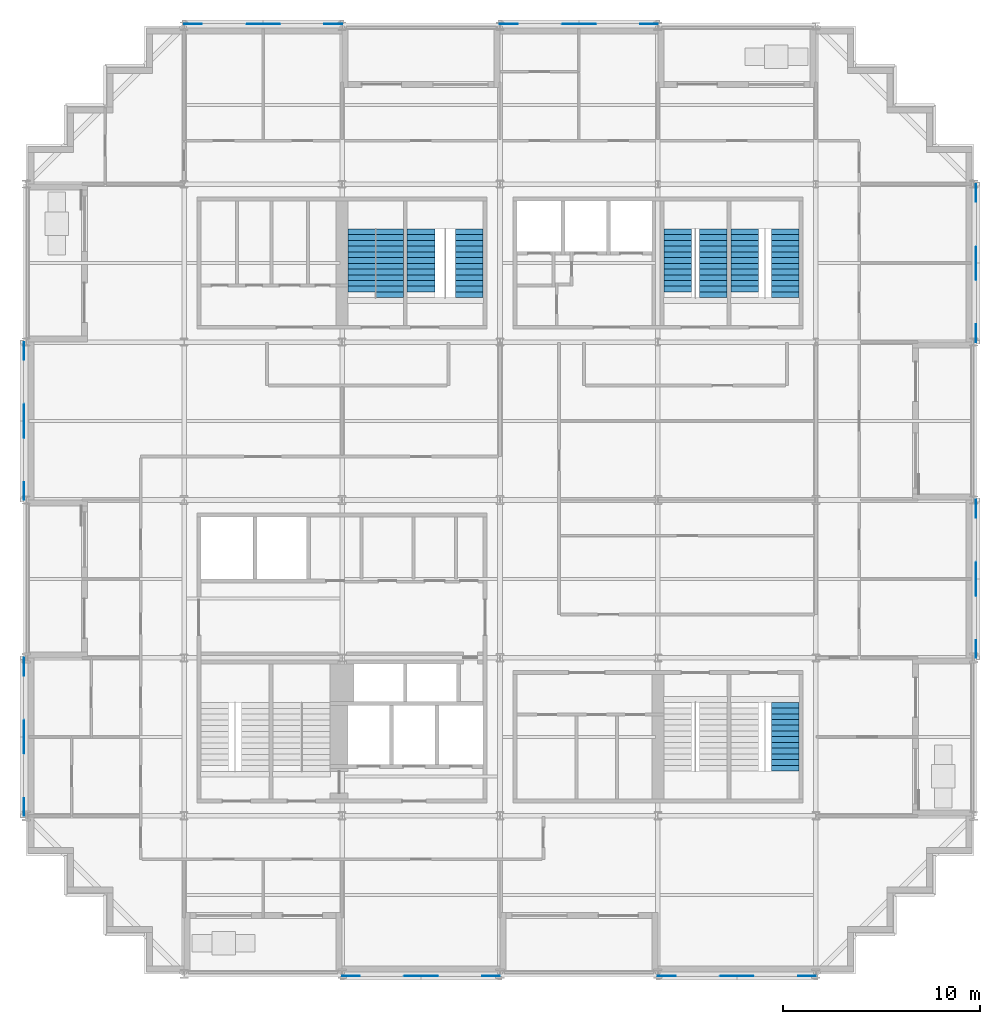
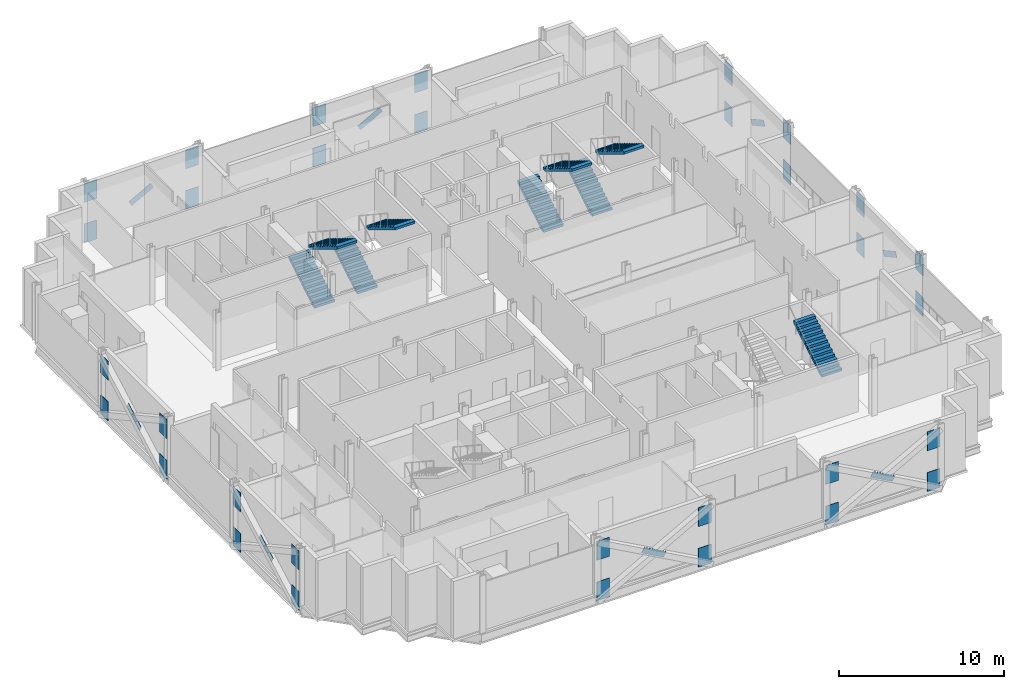
# One storey, part 12 of 15: 40 discrete accessories, 9 stair flights, 5 elements without a shape of their own.
"""IFC4 building model written with IfcOpenShell, lengths in metres."""

from ifc_helpers import new_model, si_unit, direction, frame, origin, origin_2d, place, context, subcontext, project, spatial, polyline, rectangle, outline, extrude, material, material_profile, profile_set, type_object, element, aggregate, save


model = new_model("IFC4")

# Units and contexts
model_context = context("Model", 3, precision=1e-05, world=origin(), true_north=direction((0.0, 1.0)))
body_context = subcontext(model_context, "Body", "Model", "MODEL_VIEW")
ifc_project = project(units=[si_unit("LENGTHUNIT", "METRE"), si_unit("AREAUNIT", "SQUARE_METRE"), si_unit("VOLUMEUNIT", "CUBIC_METRE"), si_unit("PLANEANGLEUNIT", "RADIAN"), si_unit("MASSUNIT", "GRAM", prefix="KILO")], contexts=[model_context])

# Site, building, storey
site_placement = place(None, origin())
site = spatial("IfcSite", under=ifc_project, at=site_placement, CompositionType="ELEMENT")
building_placement = place(site_placement, origin())
building = spatial("IfcBuilding", under=site, at=building_placement, Name="Immortelle Media Tower", CompositionType="ELEMENT")
storey_placement = place(building_placement, frame((0.0, 0.0, 100.800048828125)))
storey = spatial("IfcBuildingStorey", under=building, at=storey_placement, Name="L19", CompositionType="ELEMENT", Elevation=100.800048828125)

# Stair, stair flight
ifc_material_1 = material(Name="Steel ASTM A992 Gr 50", Category="steel")
stair_type = type_object("IfcStairType", Name="Stair with flights", PredefinedType="DOUBLE_RETURN_STAIR", material=ifc_material_1)
stair_1_placement = place(storey_placement, origin())
stair_1 = element("IfcStair", 1, at=stair_1_placement, inside=storey, type_object=stair_type, Name="Exit stair SE2", PredefinedType="DOUBLE_RETURN_STAIR")
stair_flight_type = type_object("IfcStairFlightType", Name="Stair flight 1400", PredefinedType="STRAIGHT", material=ifc_material_1)
stair_flight_1_placement = place(storey_placement, frame((38.449951171875, 10.27001953125, 2.112060546875), z_axis=(0.0, 0.0, 1.0), x_axis=(0.0, 1.0, 0.0)))
stair_flight_1 = element("IfcStairFlight", 2, at=stair_flight_1_placement, type_object=stair_flight_type, Name="ST SE2 flight 2", NumberOfRisers=13, NumberOfTreads=12, PredefinedType="STRAIGHT", RiserHeight=0.176, TreadLength=0.29, context=body_context, shape_type="SweptSolid", body=[
    extrude(outline(polyline([(0.0, 0.0), (0.0, 0.176025390625), (0.2900390625, 0.176025390625), (0.2900390625, 0.35205078125), (0.580078125, 0.35205078125), (0.580078125, 0.528076171875), (0.8701171875, 0.528076171875), (0.8701171875, 0.7041015625), (1.159912109375, 0.7041015625), (1.159912109375, 0.8798828125), (1.449951171875, 0.8798828125), (1.449951171875, 1.055908203125), (1.739990234375, 1.055908203125), (1.739990234375, 1.23193359375), (2.030029296875, 1.23193359375), (2.030029296875, 1.407958984375), (2.320068359375, 1.407958984375), (2.320068359375, 1.583984375), (2.610107421875, 1.583984375), (2.610107421875, 1.760009765625), (2.89990234375, 1.760009765625), (2.89990234375, 1.93603515625), (3.18994140625, 1.93603515625), (3.18994140625, 2.112060546875), (3.47998046875, 2.112060546875), (3.47998046875, 2.2880859375), (3.47998046875, 1.936767578125), (0.288818359375, 0.0), (0.0, 0.0)])), frame((0.0, 0.699951171875, 0.0), z_axis=(0.0, -1.0, 0.0), x_axis=(1.0, 0.0, 0.0)), (0.0, 0.0, 1.0), 1.39990234375),
])
aggregate(stair_1, [stair_flight_1])

# Stair, stair flights
stair_2_placement = place(storey_placement, origin())
stair_2 = element("IfcStair", 3, at=stair_2_placement, inside=storey, type_object=stair_type, Name="Exit stair NW1", PredefinedType="DOUBLE_RETURN_STAIR")
stair_flight_2_placement = place(storey_placement, frame((17.0, 34.5400390625, 0.0), z_axis=(0.0, 0.0, 1.0), x_axis=(0.0, 1.0, 0.0)))
stair_flight_2 = element("IfcStairFlight", 4, at=stair_flight_2_placement, type_object=stair_flight_type, Name="ST NW1 flight 1", NumberOfRisers=12, NumberOfTreads=11, PredefinedType="STRAIGHT", RiserHeight=0.176, TreadLength=0.29, context=body_context, shape_type="SweptSolid", body=[
    extrude(outline(polyline([(0.0, 0.0), (0.0, 0.176025390625), (0.2900390625, 0.176025390625), (0.2900390625, 0.35205078125), (0.580078125, 0.35205078125), (0.580078125, 0.528076171875), (0.8701171875, 0.528076171875), (0.8701171875, 0.7041015625), (1.159912109375, 0.7041015625), (1.159912109375, 0.8798828125), (1.449951171875, 0.8798828125), (1.449951171875, 1.055908203125), (1.739990234375, 1.055908203125), (1.739990234375, 1.23193359375), (2.030029296875, 1.23193359375), (2.030029296875, 1.407958984375), (2.320068359375, 1.407958984375), (2.320068359375, 1.583984375), (2.610107421875, 1.583984375), (2.610107421875, 1.760009765625), (2.89990234375, 1.760009765625), (2.89990234375, 1.93603515625), (3.18994140625, 1.93603515625), (3.18994140625, 2.112060546875), (3.18994140625, 1.7607421875), (0.288818359375, 0.0), (0.0, 0.0)])), frame((0.0, 0.699951171875, 0.0), z_axis=(0.0, -1.0, 0.0), x_axis=(1.0, 0.0, 0.0)), (0.0, 0.0, 1.0), 1.39990234375),
])
stair_flight_3_placement = place(storey_placement, frame((18.39990234375, 37.72998046875, 2.112060546875), z_axis=(0.0, 0.0, 1.0), x_axis=(0.0, -1.0, 0.0)))
stair_flight_3 = element("IfcStairFlight", 5, at=stair_flight_3_placement, type_object=stair_flight_type, Name="ST NW1 flight 2", NumberOfRisers=13, NumberOfTreads=12, PredefinedType="STRAIGHT", RiserHeight=0.176, TreadLength=0.29, context=body_context, shape_type="SweptSolid", body=[
    extrude(outline(polyline([(0.0, 0.0), (0.0, 0.176025390625), (0.2900390625, 0.176025390625), (0.2900390625, 0.35205078125), (0.580078125, 0.35205078125), (0.580078125, 0.528076171875), (0.8701171875, 0.528076171875), (0.8701171875, 0.7041015625), (1.159912109375, 0.7041015625), (1.159912109375, 0.8798828125), (1.449951171875, 0.8798828125), (1.449951171875, 1.055908203125), (1.739990234375, 1.055908203125), (1.739990234375, 1.23193359375), (2.030029296875, 1.23193359375), (2.030029296875, 1.407958984375), (2.320068359375, 1.407958984375), (2.320068359375, 1.583984375), (2.610107421875, 1.583984375), (2.610107421875, 1.760009765625), (2.89990234375, 1.760009765625), (2.89990234375, 1.93603515625), (3.18994140625, 1.93603515625), (3.18994140625, 2.112060546875), (3.47998046875, 2.112060546875), (3.47998046875, 2.2880859375), (3.47998046875, 1.936767578125), (0.288818359375, 0.0), (0.0, 0.0)])), frame((0.0, 0.699951171875, 0.0), z_axis=(0.0, -1.0, 0.0), x_axis=(1.0, 0.0, 0.0)), (0.0, 0.0, 1.0), 1.39990234375),
])
aggregate(stair_2, [stair_flight_2, stair_flight_3])

stair_3_placement = place(storey_placement, origin())
stair_3 = element("IfcStair", 6, at=stair_3_placement, inside=storey, type_object=stair_type, Name="Exit stair NW2", PredefinedType="DOUBLE_RETURN_STAIR")
stair_flight_4_placement = place(storey_placement, frame((20.0, 34.5400390625, 0.0), z_axis=(0.0, 0.0, 1.0), x_axis=(0.0, 1.0, 0.0)))
stair_flight_4 = element("IfcStairFlight", 7, at=stair_flight_4_placement, type_object=stair_flight_type, Name="ST NW2 flight 1", NumberOfRisers=12, NumberOfTreads=11, PredefinedType="STRAIGHT", RiserHeight=0.176, TreadLength=0.29, context=body_context, shape_type="SweptSolid", body=[
    extrude(outline(polyline([(0.0, 0.0), (0.0, 0.176025390625), (0.2900390625, 0.176025390625), (0.2900390625, 0.35205078125), (0.580078125, 0.35205078125), (0.580078125, 0.528076171875), (0.8701171875, 0.528076171875), (0.8701171875, 0.7041015625), (1.159912109375, 0.7041015625), (1.159912109375, 0.8798828125), (1.449951171875, 0.8798828125), (1.449951171875, 1.055908203125), (1.739990234375, 1.055908203125), (1.739990234375, 1.23193359375), (2.030029296875, 1.23193359375), (2.030029296875, 1.407958984375), (2.320068359375, 1.407958984375), (2.320068359375, 1.583984375), (2.610107421875, 1.583984375), (2.610107421875, 1.760009765625), (2.89990234375, 1.760009765625), (2.89990234375, 1.93603515625), (3.18994140625, 1.93603515625), (3.18994140625, 2.112060546875), (3.18994140625, 1.7607421875), (0.288818359375, 0.0), (0.0, 0.0)])), frame((0.0, 0.699951171875, 0.0), z_axis=(0.0, -1.0, 0.0), x_axis=(1.0, 0.0, 0.0)), (0.0, 0.0, 1.0), 1.39990234375),
])
stair_flight_5_placement = place(storey_placement, frame((22.449951171875, 37.72998046875, 2.112060546875), z_axis=(0.0, 0.0, 1.0), x_axis=(0.0, -1.0, 0.0)))
stair_flight_5 = element("IfcStairFlight", 8, at=stair_flight_5_placement, type_object=stair_flight_type, Name="ST NW2 flight 2", NumberOfRisers=13, NumberOfTreads=12, PredefinedType="STRAIGHT", RiserHeight=0.176, TreadLength=0.29, context=body_context, shape_type="SweptSolid", body=[
    extrude(outline(polyline([(0.0, 0.0), (0.0, 0.176025390625), (0.2900390625, 0.176025390625), (0.2900390625, 0.35205078125), (0.580078125, 0.35205078125), (0.580078125, 0.528076171875), (0.8701171875, 0.528076171875), (0.8701171875, 0.7041015625), (1.159912109375, 0.7041015625), (1.159912109375, 0.8798828125), (1.449951171875, 0.8798828125), (1.449951171875, 1.055908203125), (1.739990234375, 1.055908203125), (1.739990234375, 1.23193359375), (2.030029296875, 1.23193359375), (2.030029296875, 1.407958984375), (2.320068359375, 1.407958984375), (2.320068359375, 1.583984375), (2.610107421875, 1.583984375), (2.610107421875, 1.760009765625), (2.89990234375, 1.760009765625), (2.89990234375, 1.93603515625), (3.18994140625, 1.93603515625), (3.18994140625, 2.112060546875), (3.47998046875, 2.112060546875), (3.47998046875, 2.2880859375), (3.47998046875, 1.936767578125), (0.288818359375, 0.0), (0.0, 0.0)])), frame((0.0, 0.699951171875, 0.0), z_axis=(0.0, -1.0, 0.0), x_axis=(1.0, 0.0, 0.0)), (0.0, 0.0, 1.0), 1.39990234375),
])
aggregate(stair_3, [stair_flight_4, stair_flight_5])

stair_4_placement = place(storey_placement, origin())
stair_4 = element("IfcStair", 9, at=stair_4_placement, inside=storey, type_object=stair_type, Name="Exit stair NE1", PredefinedType="DOUBLE_RETURN_STAIR")
stair_flight_6_placement = place(storey_placement, frame((33.0, 34.5400390625, 0.0), z_axis=(0.0, 0.0, 1.0), x_axis=(0.0, 1.0, 0.0)))
stair_flight_6 = element("IfcStairFlight", 10, at=stair_flight_6_placement, type_object=stair_flight_type, Name="ST NE1 flight 1", NumberOfRisers=12, NumberOfTreads=11, PredefinedType="STRAIGHT", RiserHeight=0.176, TreadLength=0.29, context=body_context, shape_type="SweptSolid", body=[
    extrude(outline(polyline([(0.0, 0.0), (0.0, 0.176025390625), (0.2900390625, 0.176025390625), (0.2900390625, 0.35205078125), (0.580078125, 0.35205078125), (0.580078125, 0.528076171875), (0.8701171875, 0.528076171875), (0.8701171875, 0.7041015625), (1.159912109375, 0.7041015625), (1.159912109375, 0.8798828125), (1.449951171875, 0.8798828125), (1.449951171875, 1.055908203125), (1.739990234375, 1.055908203125), (1.739990234375, 1.23193359375), (2.030029296875, 1.23193359375), (2.030029296875, 1.407958984375), (2.320068359375, 1.407958984375), (2.320068359375, 1.583984375), (2.610107421875, 1.583984375), (2.610107421875, 1.760009765625), (2.89990234375, 1.760009765625), (2.89990234375, 1.93603515625), (3.18994140625, 1.93603515625), (3.18994140625, 2.112060546875), (3.18994140625, 1.7607421875), (0.288818359375, 0.0), (0.0, 0.0)])), frame((0.0, 0.699951171875, 0.0), z_axis=(0.0, -1.0, 0.0), x_axis=(1.0, 0.0, 0.0)), (0.0, 0.0, 1.0), 1.39990234375),
])
stair_flight_7_placement = place(storey_placement, frame((34.800048828125, 37.72998046875, 2.112060546875), z_axis=(0.0, 0.0, 1.0), x_axis=(0.0, -1.0, 0.0)))
stair_flight_7 = element("IfcStairFlight", 11, at=stair_flight_7_placement, type_object=stair_flight_type, Name="ST NE1 flight 2", NumberOfRisers=13, NumberOfTreads=12, PredefinedType="STRAIGHT", RiserHeight=0.176, TreadLength=0.29, context=body_context, shape_type="SweptSolid", body=[
    extrude(outline(polyline([(0.0, 0.0), (0.0, 0.176025390625), (0.2900390625, 0.176025390625), (0.2900390625, 0.35205078125), (0.580078125, 0.35205078125), (0.580078125, 0.528076171875), (0.8701171875, 0.528076171875), (0.8701171875, 0.7041015625), (1.159912109375, 0.7041015625), (1.159912109375, 0.8798828125), (1.449951171875, 0.8798828125), (1.449951171875, 1.055908203125), (1.739990234375, 1.055908203125), (1.739990234375, 1.23193359375), (2.030029296875, 1.23193359375), (2.030029296875, 1.407958984375), (2.320068359375, 1.407958984375), (2.320068359375, 1.583984375), (2.610107421875, 1.583984375), (2.610107421875, 1.760009765625), (2.89990234375, 1.760009765625), (2.89990234375, 1.93603515625), (3.18994140625, 1.93603515625), (3.18994140625, 2.112060546875), (3.47998046875, 2.112060546875), (3.47998046875, 2.2880859375), (3.47998046875, 1.936767578125), (0.288818359375, 0.0), (0.0, 0.0)])), frame((0.0, 0.699951171875, 0.0), z_axis=(0.0, -1.0, 0.0), x_axis=(1.0, 0.0, 0.0)), (0.0, 0.0, 1.0), 1.39990234375),
])
aggregate(stair_4, [stair_flight_6, stair_flight_7])

stair_5_placement = place(storey_placement, origin())
stair_5 = element("IfcStair", 12, at=stair_5_placement, inside=storey, type_object=stair_type, Name="Exit stair NE2", PredefinedType="DOUBLE_RETURN_STAIR")
stair_flight_8_placement = place(storey_placement, frame((36.39990234375, 34.5400390625, 0.0), z_axis=(0.0, 0.0, 1.0), x_axis=(0.0, 1.0, 0.0)))
stair_flight_8 = element("IfcStairFlight", 13, at=stair_flight_8_placement, type_object=stair_flight_type, Name="ST NE2 flight 1", NumberOfRisers=12, NumberOfTreads=11, PredefinedType="STRAIGHT", RiserHeight=0.176, TreadLength=0.29, context=body_context, shape_type="SweptSolid", body=[
    extrude(outline(polyline([(0.0, 0.0), (0.0, 0.176025390625), (0.2900390625, 0.176025390625), (0.2900390625, 0.35205078125), (0.580078125, 0.35205078125), (0.580078125, 0.528076171875), (0.8701171875, 0.528076171875), (0.8701171875, 0.7041015625), (1.159912109375, 0.7041015625), (1.159912109375, 0.8798828125), (1.449951171875, 0.8798828125), (1.449951171875, 1.055908203125), (1.739990234375, 1.055908203125), (1.739990234375, 1.23193359375), (2.030029296875, 1.23193359375), (2.030029296875, 1.407958984375), (2.320068359375, 1.407958984375), (2.320068359375, 1.583984375), (2.610107421875, 1.583984375), (2.610107421875, 1.760009765625), (2.89990234375, 1.760009765625), (2.89990234375, 1.93603515625), (3.18994140625, 1.93603515625), (3.18994140625, 2.112060546875), (3.18994140625, 1.7607421875), (0.288818359375, 0.0), (0.0, 0.0)])), frame((0.0, 0.699951171875, 0.0), z_axis=(0.0, -1.0, 0.0), x_axis=(1.0, 0.0, 0.0)), (0.0, 0.0, 1.0), 1.39990234375),
])
stair_flight_9_placement = place(storey_placement, frame((38.449951171875, 37.72998046875, 2.112060546875), z_axis=(0.0, 0.0, 1.0), x_axis=(0.0, -1.0, 0.0)))
stair_flight_9 = element("IfcStairFlight", 14, at=stair_flight_9_placement, type_object=stair_flight_type, Name="ST NE2 flight 2", NumberOfRisers=13, NumberOfTreads=12, PredefinedType="STRAIGHT", RiserHeight=0.176, TreadLength=0.29, context=body_context, shape_type="SweptSolid", body=[
    extrude(outline(polyline([(0.0, 0.0), (0.0, 0.176025390625), (0.2900390625, 0.176025390625), (0.2900390625, 0.35205078125), (0.580078125, 0.35205078125), (0.580078125, 0.528076171875), (0.8701171875, 0.528076171875), (0.8701171875, 0.7041015625), (1.159912109375, 0.7041015625), (1.159912109375, 0.8798828125), (1.449951171875, 0.8798828125), (1.449951171875, 1.055908203125), (1.739990234375, 1.055908203125), (1.739990234375, 1.23193359375), (2.030029296875, 1.23193359375), (2.030029296875, 1.407958984375), (2.320068359375, 1.407958984375), (2.320068359375, 1.583984375), (2.610107421875, 1.583984375), (2.610107421875, 1.760009765625), (2.89990234375, 1.760009765625), (2.89990234375, 1.93603515625), (3.18994140625, 1.93603515625), (3.18994140625, 2.112060546875), (3.47998046875, 2.112060546875), (3.47998046875, 2.2880859375), (3.47998046875, 1.936767578125), (0.288818359375, 0.0), (0.0, 0.0)])), frame((0.0, 0.699951171875, 0.0), z_axis=(0.0, -1.0, 0.0), x_axis=(1.0, 0.0, 0.0)), (0.0, 0.0, 1.0), 1.39990234375),
])
aggregate(stair_5, [stair_flight_8, stair_flight_9])

# Discrete accessories
ifc_material_2 = material(Name="Steel ASTM A572 Gr 50", Category="steel")
ifc_material_profile_1 = material_profile(ifc_material_2, rectangle(XDim=0.031982421875, YDim=0.406005859375, at=origin_2d()), Name="PL 32 x 406")
ifc_profile_set_1 = profile_set([ifc_material_profile_1], Name="Steel ASTM A572 Gr 50")
discrete_accessory_type_1 = type_object("IfcDiscreteAccessoryType", Name="Crossing plate XP-BR3 1750 x 406 x 32", PredefinedType="USERDEFINED", material=ifc_profile_set_1)
for number, where, z_axis, x_axis, name in (
    (15, (-0.113037109375, 28.7666015625, 2.125244140625), (0.0, -0.876156989658, -0.482025859756), (1.0, 0.0, 0.0), "Crossing plate XP-BR3 of Brace 1/D-E A and Brace 1/D-E B"),
    (16, (-0.113037109375, 12.7666015625, 2.125244140625), (0.0, -0.876156989658, -0.482025859756), (1.0, 0.0, 0.0), "Crossing plate XP-BR3 of Brace 1/B-C A and Brace 1/B-C B"),
    (17, (48.113037109375, 19.2333984375, 2.125244140625), (0.0, 0.876156989658, -0.482025859756), (-1.0, 0.0, 0.0), "Crossing plate XP-BR3 of Brace 7/C-D A and Brace 7/C-D B"),
    (18, (48.113037109375, 35.2333984375, 2.125244140625), (0.0, 0.876156989658, -0.482025859756), (-1.0, 0.0, 0.0), "Crossing plate XP-BR3 of Brace 7/E-F A and Brace 7/E-F B"),
    (19, (28.7666015625, 48.113037109375, 2.125244140625), (-0.876156989658, 0.0, -0.482025859756), (0.0, -1.0, 0.0), "Crossing plate XP-BR3 of Brace G/4-5 A and Brace G/4-5 B"),
    (20, (12.7666015625, 48.113037109375, 2.125244140625), (-0.876156989658, 0.0, -0.482025859756), (0.0, -1.0, 0.0), "Crossing plate XP-BR3 of Brace G/2-3 A and Brace G/2-3 B"),
    (21, (19.2333984375, -0.113037109375, 2.125244140625), (0.876156989658, 0.0, -0.482025859756), (0.0, 1.0, 0.0), "Crossing plate XP-BR3 of Brace A/3-4 A and Brace A/3-4 B"),
    (22, (35.2333984375, -0.113037109375, 2.125244140625), (0.876156989658, 0.0, -0.482025859756), (0.0, 1.0, 0.0), "Crossing plate XP-BR3 of Brace A/5-6 A and Brace A/5-6 B"),
):
    element("IfcDiscreteAccessory", number, at=place(storey_placement, frame(where, z_axis=z_axis, x_axis=x_axis)), inside=storey, type_object=discrete_accessory_type_1, Name=name, ObjectType="CROSSING PLATE", PredefinedType="USERDEFINED", context=body_context, shape_type="SweptSolid", body=[
        extrude(rectangle(XDim=0.031982421875, YDim=0.406005859375, at=origin_2d()), origin(), (0.0, 0.0, 1.0), 1.75),
    ])
ifc_material_profile_2 = material_profile(ifc_material_2, rectangle(XDim=0.031982421875, YDim=1.39990234375, at=origin_2d()), Name="PL 32 x 1400")
ifc_profile_set_2 = profile_set([ifc_material_profile_2], Name="Steel ASTM A572 Gr 50")
discrete_accessory_type_2 = type_object("IfcDiscreteAccessoryType", Name="Gusset plate GP1 900 x 1400 x 32", PredefinedType="USERDEFINED", material=ifc_profile_set_2)
for number, where, z_axis, x_axis, name in (
    (23, (-0.113037109375, 32.0, 0.203369140625), (0.0, -1.0, 0.0), (1.0, 0.0, 0.0), "Gusset plate GP1, lower end of Brace 1/D-E A"),
    (24, (-0.113037109375, 24.0, 3.203369140625), (0.0, 1.0, 0.0), (-1.0, 0.0, 0.0), "Gusset plate GP1, upper end of Brace 1/D-E A"),
    (25, (-0.113037109375, 24.0, 0.203369140625), (0.0, 1.0, 0.0), (-1.0, 0.0, 0.0), "Gusset plate GP1, lower end of Brace 1/D-E B"),
    (26, (-0.113037109375, 32.0, 3.203369140625), (0.0, -1.0, 0.0), (1.0, 0.0, 0.0), "Gusset plate GP1, upper end of Brace 1/D-E B"),
    (27, (-0.113037109375, 16.0, 0.203369140625), (0.0, -1.0, 0.0), (1.0, 0.0, 0.0), "Gusset plate GP1, lower end of Brace 1/B-C A"),
    (28, (-0.113037109375, 8.0, 3.203369140625), (0.0, 1.0, 0.0), (-1.0, 0.0, 0.0), "Gusset plate GP1, upper end of Brace 1/B-C A"),
    (29, (-0.113037109375, 8.0, 0.203369140625), (0.0, 1.0, 0.0), (-1.0, 0.0, 0.0), "Gusset plate GP1, lower end of Brace 1/B-C B"),
    (30, (-0.113037109375, 16.0, 3.203369140625), (0.0, -1.0, 0.0), (1.0, 0.0, 0.0), "Gusset plate GP1, upper end of Brace 1/B-C B"),
    (31, (16.0, -0.113037109375, 0.203369140625), (1.0, 0.0, 0.0), (0.0, 1.0, 0.0), "Gusset plate GP1, lower end of Brace A/3-4 A"),
    (32, (24.0, -0.113037109375, 3.203369140625), (-1.0, 0.0, 0.0), (0.0, -1.0, 0.0), "Gusset plate GP1, upper end of Brace A/3-4 A"),
    (33, (24.0, -0.113037109375, 0.203369140625), (-1.0, 0.0, 0.0), (0.0, -1.0, 0.0), "Gusset plate GP1, lower end of Brace A/3-4 B"),
    (34, (16.0, -0.113037109375, 3.203369140625), (1.0, 0.0, 0.0), (0.0, 1.0, 0.0), "Gusset plate GP1, upper end of Brace A/3-4 B"),
    (35, (32.0, -0.113037109375, 0.203369140625), (1.0, 0.0, 0.0), (0.0, 1.0, 0.0), "Gusset plate GP1, lower end of Brace A/5-6 A"),
    (36, (40.0, -0.113037109375, 3.203369140625), (-1.0, 0.0, 0.0), (0.0, -1.0, 0.0), "Gusset plate GP1, upper end of Brace A/5-6 A"),
    (37, (40.0, -0.113037109375, 0.203369140625), (-1.0, 0.0, 0.0), (0.0, -1.0, 0.0), "Gusset plate GP1, lower end of Brace A/5-6 B"),
    (38, (32.0, -0.113037109375, 3.203369140625), (1.0, 0.0, 0.0), (0.0, 1.0, 0.0), "Gusset plate GP1, upper end of Brace A/5-6 B"),
    (39, (48.113037109375, 16.0, 0.203369140625), (0.0, 1.0, 0.0), (-1.0, 0.0, 0.0), "Gusset plate GP1, lower end of Brace 7/C-D A"),
    (40, (48.113037109375, 24.0, 3.203369140625), (0.0, -1.0, 0.0), (1.0, 0.0, 0.0), "Gusset plate GP1, upper end of Brace 7/C-D A"),
    (41, (48.113037109375, 24.0, 0.203369140625), (0.0, -1.0, 0.0), (1.0, 0.0, 0.0), "Gusset plate GP1, lower end of Brace 7/C-D B"),
    (42, (48.113037109375, 16.0, 3.203369140625), (0.0, 1.0, 0.0), (-1.0, 0.0, 0.0), "Gusset plate GP1, upper end of Brace 7/C-D B"),
    (43, (48.113037109375, 32.0, 0.203369140625), (0.0, 1.0, 0.0), (-1.0, 0.0, 0.0), "Gusset plate GP1, lower end of Brace 7/E-F A"),
    (44, (48.113037109375, 40.0, 3.203369140625), (0.0, -1.0, 0.0), (1.0, 0.0, 0.0), "Gusset plate GP1, upper end of Brace 7/E-F A"),
    (45, (48.113037109375, 40.0, 0.203369140625), (0.0, -1.0, 0.0), (1.0, 0.0, 0.0), "Gusset plate GP1, lower end of Brace 7/E-F B"),
    (46, (48.113037109375, 32.0, 3.203369140625), (0.0, 1.0, 0.0), (-1.0, 0.0, 0.0), "Gusset plate GP1, upper end of Brace 7/E-F B"),
    (47, (32.0, 48.113037109375, 0.203369140625), (-1.0, 0.0, 0.0), (0.0, -1.0, 0.0), "Gusset plate GP1, lower end of Brace G/4-5 A"),
    (48, (24.0, 48.113037109375, 3.203369140625), (1.0, 0.0, 0.0), (0.0, 1.0, 0.0), "Gusset plate GP1, upper end of Brace G/4-5 A"),
    (49, (24.0, 48.113037109375, 0.203369140625), (1.0, 0.0, 0.0), (0.0, 1.0, 0.0), "Gusset plate GP1, lower end of Brace G/4-5 B"),
    (50, (32.0, 48.113037109375, 3.203369140625), (-1.0, 0.0, 0.0), (0.0, -1.0, 0.0), "Gusset plate GP1, upper end of Brace G/4-5 B"),
    (51, (16.0, 48.113037109375, 0.203369140625), (-1.0, 0.0, 0.0), (0.0, -1.0, 0.0), "Gusset plate GP1, lower end of Brace G/2-3 A"),
    (52, (8.0, 48.113037109375, 3.203369140625), (1.0, 0.0, 0.0), (0.0, 1.0, 0.0), "Gusset plate GP1, upper end of Brace G/2-3 A"),
    (53, (8.0, 48.113037109375, 0.203369140625), (1.0, 0.0, 0.0), (0.0, 1.0, 0.0), "Gusset plate GP1, lower end of Brace G/2-3 B"),
    (54, (16.0, 48.113037109375, 3.203369140625), (-1.0, 0.0, 0.0), (0.0, -1.0, 0.0), "Gusset plate GP1, upper end of Brace G/2-3 B"),
):
    element("IfcDiscreteAccessory", number, at=place(storey_placement, frame(where, z_axis=z_axis, x_axis=x_axis)), inside=storey, type_object=discrete_accessory_type_2, Name=name, ObjectType="GUSSET PLATE", PredefinedType="USERDEFINED", context=body_context, shape_type="SweptSolid", body=[
        extrude(rectangle(XDim=0.031982421875, YDim=1.39990234375, at=origin_2d()), origin(), (0.0, 0.0, 1.0), 0.89990234375),
    ])

save(model, "model.ifc")
